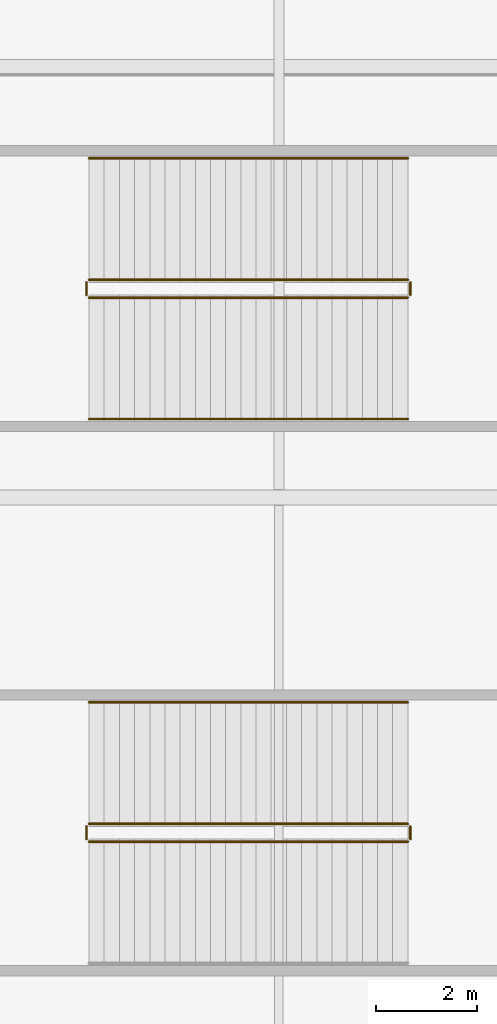
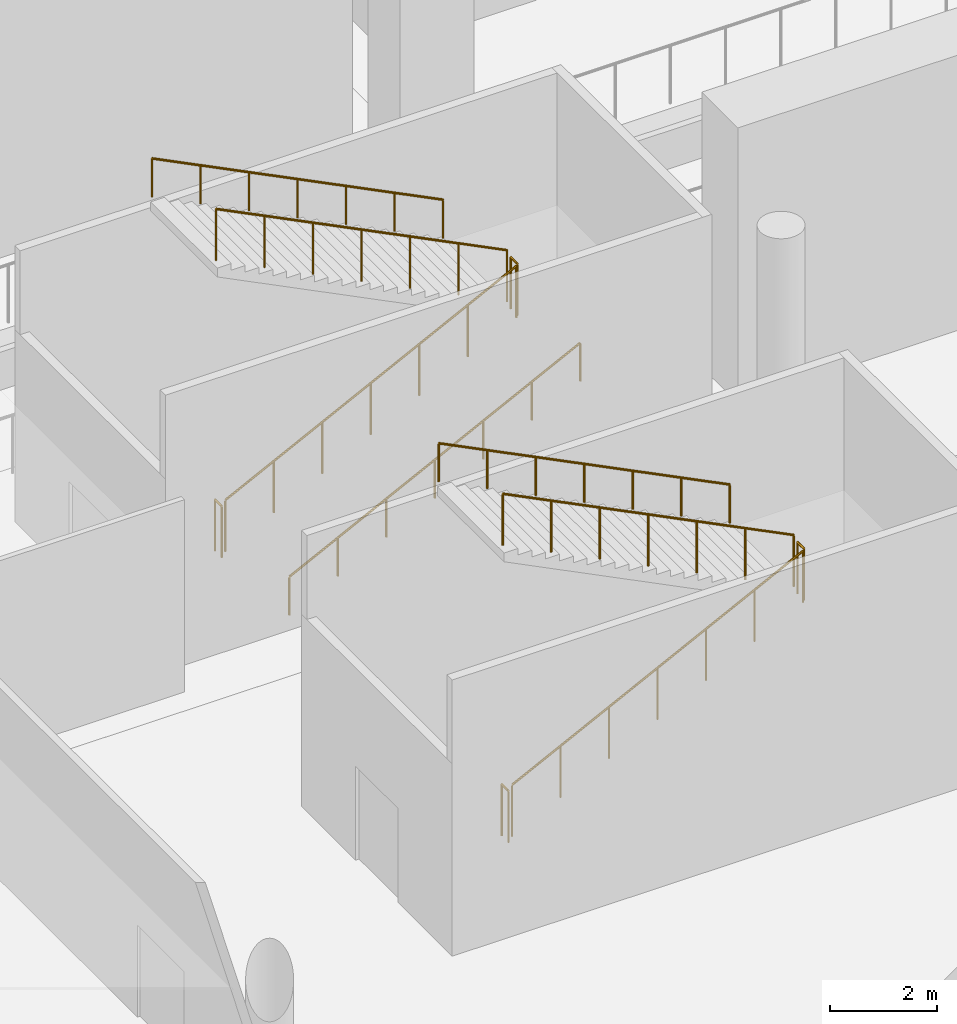
# One storey, part 38 of 65: 11 railings.
"""IFC4 building model written with IfcOpenShell, lengths in metres."""

from ifc_helpers import new_model, si_unit, direction, frame, origin, origin_2d, place, context, subcontext, project, spatial, circle, extrude, material, type_object, element, save


model = new_model("IFC4")

# Units and contexts
model_context = context("Model", 3, precision=1e-05, world=origin(), true_north=direction((0.0, 1.0)))
body_context = subcontext(model_context, "Body", "Model", "MODEL_VIEW")
ifc_project = project(units=[si_unit("LENGTHUNIT", "METRE"), si_unit("AREAUNIT", "SQUARE_METRE"), si_unit("VOLUMEUNIT", "CUBIC_METRE"), si_unit("PLANEANGLEUNIT", "RADIAN"), si_unit("MASSUNIT", "GRAM", prefix="KILO")], contexts=[model_context])

# Site, building, storey
site_placement = place(None, origin())
site = spatial("IfcSite", under=ifc_project, at=site_placement, CompositionType="ELEMENT")
building_placement = place(site_placement, origin())
building = spatial("IfcBuilding", under=site, at=building_placement, Name="Chuanluo Vaults Station", CompositionType="ELEMENT")
storey_placement = place(building_placement, origin())
storey = spatial("IfcBuildingStorey", under=building, at=storey_placement, Name="L00", CompositionType="ELEMENT", Elevation=0.0)

# Railings
ifc_material_1 = material(Name="Tempered laminated balustrade glass", Category="glass")
railing_type_1 = type_object("IfcRailingType", Name="RLG-GUARD-1200", PredefinedType="BALUSTRADE", material=ifc_material_1)
railing_1_placement = place(storey_placement, frame((26.25, 57.949951171875, 0.14990234375)))
element("IfcRailing", 1, at=railing_1_placement, inside=storey, type_object=railing_type_1, Name="L00 ST-07 stair guard 1", PredefinedType="BALUSTRADE", context=body_context, shape_type="SweptSolid", body=[
    extrude(circle(Radius=0.02392578125, at=origin_2d()), frame((0.0, 0.0, 1.17578125), z_axis=(0.894420258746, 0.0, 0.44722745974), x_axis=(0.0, 1.0, 0.0)), (0.0, 0.0, 1.0), 7.043701171875),
    extrude(circle(Radius=0.02099609375, at=origin_2d()), origin(), (0.0, 0.0, 1.0), 1.15185546875),
    extrude(circle(Radius=0.02099609375, at=origin_2d()), frame((1.050048828125, 0.0, 0.52490234375)), (0.0, 0.0, 1.0), 1.15185546875),
    extrude(circle(Radius=0.02099609375, at=origin_2d()), frame((2.10009765625, 0.0, 1.050048828125)), (0.0, 0.0, 1.0), 1.15185546875),
    extrude(circle(Radius=0.02099609375, at=origin_2d()), frame((3.14990234375, 0.0, 1.5751953125)), (0.0, 0.0, 1.0), 1.15185546875),
    extrude(circle(Radius=0.02099609375, at=origin_2d()), frame((4.199951171875, 0.0, 2.10009765625)), (0.0, 0.0, 1.0), 1.15185546875),
    extrude(circle(Radius=0.02099609375, at=origin_2d()), frame((5.25, 0.0, 2.625)), (0.0, 0.0, 1.0), 1.15185546875),
    extrude(circle(Radius=0.02099609375, at=origin_2d()), frame((6.300048828125, 0.0, 3.150146484375)), (0.0, 0.0, 1.0), 1.15185546875),
])
railing_2_placement = place(storey_placement, frame((32.60009765625, 58.0, 3.300048828125)))
element("IfcRailing", 2, at=railing_2_placement, inside=storey, type_object=railing_type_1, Name="L00 ST-07 stair guard 2", PredefinedType="BALUSTRADE", context=body_context, shape_type="SweptSolid", body=[
    extrude(circle(Radius=0.02392578125, at=origin_2d()), frame((0.0, 0.0, 1.17578125), z_axis=(0.0, 1.0, 0.0), x_axis=(-1.0, 0.0, 0.0)), (0.0, 0.0, 1.0), 0.25),
    extrude(circle(Radius=0.02099609375, at=origin_2d()), origin(), (0.0, 0.0, 1.0), 1.15185546875),
    extrude(circle(Radius=0.02099609375, at=origin_2d()), frame((0.0, 0.25, 0.0)), (0.0, 0.0, 1.0), 1.15185546875),
])
railing_3_placement = place(storey_placement, frame((32.550048828125, 58.300048828125, 3.449951171875)))
element("IfcRailing", 3, at=railing_3_placement, inside=storey, type_object=railing_type_1, Name="L00 ST-07 stair guard 3", PredefinedType="BALUSTRADE", context=body_context, shape_type="SweptSolid", body=[
    extrude(circle(Radius=0.02392578125, at=origin_2d()), frame((0.0, 0.0, 1.17578125), z_axis=(-0.894420258746, 0.0, 0.44722745974), x_axis=(0.0, -1.0, 0.0)), (0.0, 0.0, 1.0), 7.043701171875),
    extrude(circle(Radius=0.02099609375, at=origin_2d()), origin(), (0.0, 0.0, 1.0), 1.15185546875),
    extrude(circle(Radius=0.02099609375, at=origin_2d()), frame((-1.050048828125, 0.0, 0.52490234375)), (0.0, 0.0, 1.0), 1.15185546875),
    extrude(circle(Radius=0.02099609375, at=origin_2d()), frame((-2.10009765625, 0.0, 1.050048828125)), (0.0, 0.0, 1.0), 1.15185546875),
    extrude(circle(Radius=0.02099609375, at=origin_2d()), frame((-3.14990234375, 0.0, 1.5751953125)), (0.0, 0.0, 1.0), 1.15185546875),
    extrude(circle(Radius=0.02099609375, at=origin_2d()), frame((-4.199951171875, 0.0, 2.10009765625)), (0.0, 0.0, 1.0), 1.15185546875),
    extrude(circle(Radius=0.02099609375, at=origin_2d()), frame((-5.25, 0.0, 2.625)), (0.0, 0.0, 1.0), 1.15185546875),
    extrude(circle(Radius=0.02099609375, at=origin_2d()), frame((-6.300048828125, 0.0, 3.150146484375)), (0.0, 0.0, 1.0), 1.15185546875),
])
railing_4_placement = place(storey_placement, frame((26.199951171875, 58.0, 0.0)))
element("IfcRailing", 4, at=railing_4_placement, inside=storey, type_object=railing_type_1, Name="L00 ST-07 stair guard 4", PredefinedType="BALUSTRADE", context=body_context, shape_type="SweptSolid", body=[
    extrude(circle(Radius=0.02392578125, at=origin_2d()), frame((0.0, 0.0, 1.17578125), z_axis=(0.0, 1.0, 0.0), x_axis=(-1.0, 0.0, 0.0)), (0.0, 0.0, 1.0), 0.25),
    extrude(circle(Radius=0.02099609375, at=origin_2d()), origin(), (0.0, 0.0, 1.0), 1.15185546875),
    extrude(circle(Radius=0.02099609375, at=origin_2d()), frame((0.0, 0.25, 0.0)), (0.0, 0.0, 1.0), 1.15185546875),
])
railing_5_placement = place(storey_placement, frame((26.25, 47.199951171875, 0.14990234375)))
element("IfcRailing", 5, at=railing_5_placement, inside=storey, type_object=railing_type_1, Name="L00 ST-20 stair guard 1", PredefinedType="BALUSTRADE", context=body_context, shape_type="SweptSolid", body=[
    extrude(circle(Radius=0.02392578125, at=origin_2d()), frame((0.0, 0.0, 1.17578125), z_axis=(0.894420258746, 0.0, 0.44722745974), x_axis=(0.0, 1.0, 0.0)), (0.0, 0.0, 1.0), 7.043701171875),
    extrude(circle(Radius=0.02099609375, at=origin_2d()), origin(), (0.0, 0.0, 1.0), 1.15185546875),
    extrude(circle(Radius=0.02099609375, at=origin_2d()), frame((1.050048828125, 0.0, 0.52490234375)), (0.0, 0.0, 1.0), 1.15185546875),
    extrude(circle(Radius=0.02099609375, at=origin_2d()), frame((2.10009765625, 0.0, 1.050048828125)), (0.0, 0.0, 1.0), 1.15185546875),
    extrude(circle(Radius=0.02099609375, at=origin_2d()), frame((3.14990234375, 0.0, 1.5751953125)), (0.0, 0.0, 1.0), 1.15185546875),
    extrude(circle(Radius=0.02099609375, at=origin_2d()), frame((4.199951171875, 0.0, 2.10009765625)), (0.0, 0.0, 1.0), 1.15185546875),
    extrude(circle(Radius=0.02099609375, at=origin_2d()), frame((5.25, 0.0, 2.625)), (0.0, 0.0, 1.0), 1.15185546875),
    extrude(circle(Radius=0.02099609375, at=origin_2d()), frame((6.300048828125, 0.0, 3.150146484375)), (0.0, 0.0, 1.0), 1.15185546875),
])
railing_6_placement = place(storey_placement, frame((32.60009765625, 47.25, 3.300048828125)))
element("IfcRailing", 6, at=railing_6_placement, inside=storey, type_object=railing_type_1, Name="L00 ST-20 stair guard 2", PredefinedType="BALUSTRADE", context=body_context, shape_type="SweptSolid", body=[
    extrude(circle(Radius=0.02392578125, at=origin_2d()), frame((0.0, 0.0, 1.17578125), z_axis=(0.0, 1.0, 0.0), x_axis=(-1.0, 0.0, 0.0)), (0.0, 0.0, 1.0), 0.25),
    extrude(circle(Radius=0.02099609375, at=origin_2d()), origin(), (0.0, 0.0, 1.0), 1.15185546875),
    extrude(circle(Radius=0.02099609375, at=origin_2d()), frame((0.0, 0.25, 0.0)), (0.0, 0.0, 1.0), 1.15185546875),
])
railing_7_placement = place(storey_placement, frame((32.550048828125, 47.550048828125, 3.449951171875)))
element("IfcRailing", 7, at=railing_7_placement, inside=storey, type_object=railing_type_1, Name="L00 ST-20 stair guard 3", PredefinedType="BALUSTRADE", context=body_context, shape_type="SweptSolid", body=[
    extrude(circle(Radius=0.02392578125, at=origin_2d()), frame((0.0, 0.0, 1.17578125), z_axis=(-0.894420258746, 0.0, 0.44722745974), x_axis=(0.0, -1.0, 0.0)), (0.0, 0.0, 1.0), 7.043701171875),
    extrude(circle(Radius=0.02099609375, at=origin_2d()), origin(), (0.0, 0.0, 1.0), 1.15185546875),
    extrude(circle(Radius=0.02099609375, at=origin_2d()), frame((-1.050048828125, 0.0, 0.52490234375)), (0.0, 0.0, 1.0), 1.15185546875),
    extrude(circle(Radius=0.02099609375, at=origin_2d()), frame((-2.10009765625, 0.0, 1.050048828125)), (0.0, 0.0, 1.0), 1.15185546875),
    extrude(circle(Radius=0.02099609375, at=origin_2d()), frame((-3.14990234375, 0.0, 1.5751953125)), (0.0, 0.0, 1.0), 1.15185546875),
    extrude(circle(Radius=0.02099609375, at=origin_2d()), frame((-4.199951171875, 0.0, 2.10009765625)), (0.0, 0.0, 1.0), 1.15185546875),
    extrude(circle(Radius=0.02099609375, at=origin_2d()), frame((-5.25, 0.0, 2.625)), (0.0, 0.0, 1.0), 1.15185546875),
    extrude(circle(Radius=0.02099609375, at=origin_2d()), frame((-6.300048828125, 0.0, 3.150146484375)), (0.0, 0.0, 1.0), 1.15185546875),
])
railing_8_placement = place(storey_placement, frame((26.199951171875, 47.25, 0.0)))
element("IfcRailing", 8, at=railing_8_placement, inside=storey, type_object=railing_type_1, Name="L00 ST-20 stair guard 4", PredefinedType="BALUSTRADE", context=body_context, shape_type="SweptSolid", body=[
    extrude(circle(Radius=0.02392578125, at=origin_2d()), frame((0.0, 0.0, 1.17578125), z_axis=(0.0, 1.0, 0.0), x_axis=(-1.0, 0.0, 0.0)), (0.0, 0.0, 1.0), 0.25),
    extrude(circle(Radius=0.02099609375, at=origin_2d()), origin(), (0.0, 0.0, 1.0), 1.15185546875),
    extrude(circle(Radius=0.02099609375, at=origin_2d()), frame((0.0, 0.25, 0.0)), (0.0, 0.0, 1.0), 1.15185546875),
])
ifc_material_2 = material(Name="Brushed stainless steel 304", Category="steel")
railing_type_2 = type_object("IfcRailingType", Name="RLG-HAND-900", PredefinedType="HANDRAIL", material=ifc_material_2)
railing_9_placement = place(storey_placement, frame((26.25, 55.550048828125, 0.14990234375)))
element("IfcRailing", 9, at=railing_9_placement, inside=storey, type_object=railing_type_2, Name="L00 ST-07 stair handrail 1", PredefinedType="HANDRAIL", context=body_context, shape_type="SweptSolid", body=[
    extrude(circle(Radius=0.02392578125, at=origin_2d()), frame((0.0, 0.0, 0.8759765625), z_axis=(0.894420258746, 0.0, 0.44722745974), x_axis=(0.0, 1.0, 0.0)), (0.0, 0.0, 1.0), 7.043701171875),
    extrude(circle(Radius=0.02099609375, at=origin_2d()), origin(), (0.0, 0.0, 1.0), 0.851806640625),
    extrude(circle(Radius=0.02099609375, at=origin_2d()), frame((1.050048828125, 0.0, 0.52490234375)), (0.0, 0.0, 1.0), 0.851806640625),
    extrude(circle(Radius=0.02099609375, at=origin_2d()), frame((2.10009765625, 0.0, 1.050048828125)), (0.0, 0.0, 1.0), 0.851806640625),
    extrude(circle(Radius=0.02099609375, at=origin_2d()), frame((3.14990234375, 0.0, 1.5751953125)), (0.0, 0.0, 1.0), 0.851806640625),
    extrude(circle(Radius=0.02099609375, at=origin_2d()), frame((4.199951171875, 0.0, 2.10009765625)), (0.0, 0.0, 1.0), 0.851806640625),
    extrude(circle(Radius=0.02099609375, at=origin_2d()), frame((5.25, 0.0, 2.625)), (0.0, 0.0, 1.0), 0.851806640625),
    extrude(circle(Radius=0.02099609375, at=origin_2d()), frame((6.300048828125, 0.0, 3.150146484375)), (0.0, 0.0, 1.0), 0.851806640625),
])
for number, where, name in (
    (10, (32.550048828125, 60.699951171875, 3.449951171875), "L00 ST-07 stair handrail 2"),
    (11, (32.550048828125, 49.949951171875, 3.449951171875), "L00 ST-20 stair handrail 2"),
):
    element("IfcRailing", number, at=place(storey_placement, frame(where)), inside=storey, type_object=railing_type_2, Name=name, PredefinedType="HANDRAIL", context=body_context, shape_type="SweptSolid", body=[
        extrude(circle(Radius=0.02392578125, at=origin_2d()), frame((0.0, 0.0, 0.8759765625), z_axis=(-0.894420258746, 0.0, 0.44722745974), x_axis=(0.0, -1.0, 0.0)), (0.0, 0.0, 1.0), 7.043701171875),
        extrude(circle(Radius=0.02099609375, at=origin_2d()), origin(), (0.0, 0.0, 1.0), 0.851806640625),
        extrude(circle(Radius=0.02099609375, at=origin_2d()), frame((-1.050048828125, 0.0, 0.52490234375)), (0.0, 0.0, 1.0), 0.851806640625),
        extrude(circle(Radius=0.02099609375, at=origin_2d()), frame((-2.10009765625, 0.0, 1.050048828125)), (0.0, 0.0, 1.0), 0.851806640625),
        extrude(circle(Radius=0.02099609375, at=origin_2d()), frame((-3.14990234375, 0.0, 1.5751953125)), (0.0, 0.0, 1.0), 0.851806640625),
        extrude(circle(Radius=0.02099609375, at=origin_2d()), frame((-4.199951171875, 0.0, 2.10009765625)), (0.0, 0.0, 1.0), 0.851806640625),
        extrude(circle(Radius=0.02099609375, at=origin_2d()), frame((-5.25, 0.0, 2.625)), (0.0, 0.0, 1.0), 0.851806640625),
        extrude(circle(Radius=0.02099609375, at=origin_2d()), frame((-6.300048828125, 0.0, 3.150146484375)), (0.0, 0.0, 1.0), 0.851806640625),
    ])

save(model, "model.ifc")
